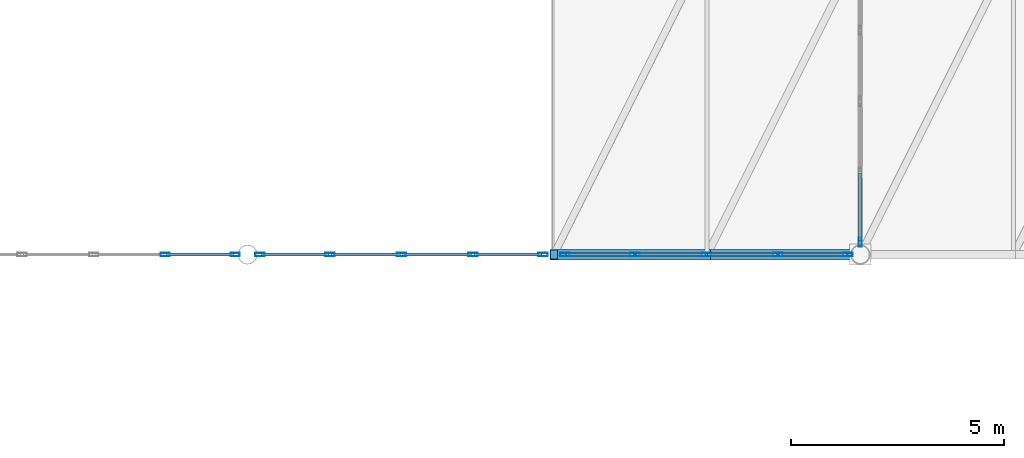
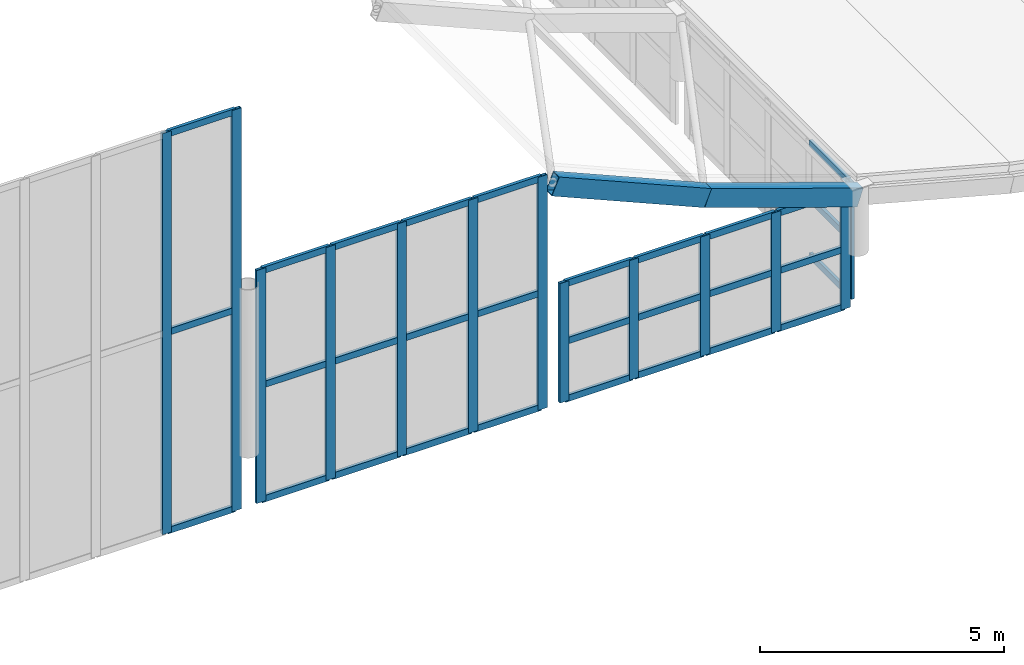
# One storey, part 63 of 153: 43 members, 2 beams, 4 elements without a shape of their own.
"""IFC4 building model written with IfcOpenShell, lengths in metres."""

from ifc_helpers import new_model, si_unit, direction, frame, origin, origin_2d, place, context, subcontext, project, spatial, hollow_rectangle, extrude, material, material_profile, profile_set, type_object, element, aggregate, save


model = new_model("IFC4")

# Units and contexts
model_context = context("Model", 3, precision=1e-05, world=origin(), true_north=direction((0.0, 1.0)))
body_context = subcontext(model_context, "Body", "Model", "MODEL_VIEW")
ifc_project = project(units=[si_unit("LENGTHUNIT", "METRE"), si_unit("AREAUNIT", "SQUARE_METRE"), si_unit("VOLUMEUNIT", "CUBIC_METRE"), si_unit("PLANEANGLEUNIT", "RADIAN"), si_unit("MASSUNIT", "GRAM", prefix="KILO")], contexts=[model_context])

# Site, building, storey
site_placement = place(None, origin())
site = spatial("IfcSite", under=ifc_project, at=site_placement, CompositionType="ELEMENT")
building_placement = place(site_placement, origin())
building = spatial("IfcBuilding", under=site, at=building_placement, Name="Qandorah Velis Arena", CompositionType="ELEMENT")
storey_placement = place(building_placement, frame((0.0, 0.0, 5.39990234375)))
storey = spatial("IfcBuildingStorey", under=building, at=storey_placement, Name="L01", CompositionType="ELEMENT", Elevation=5.39990234375)

# Curtain wall, members
ifc_material_1 = material(Name="Solar-control low-E double glazing", Category="glass")
curtain_wall_type_1 = type_object("IfcCurtainWallType", Name="ARC-CW-SYS02", PredefinedType="USERDEFINED", material=ifc_material_1)
curtain_wall_1_placement = place(storey_placement, origin())
curtain_wall_1 = element("IfcCurtainWall", 1, at=curtain_wall_1_placement, inside=storey, type_object=curtain_wall_type_1, Name="Unitised curtain wall FOY-UP-1", ObjectType="UNITISED CURTAIN WALL", PredefinedType="USERDEFINED")
ifc_material_2 = material(Name="Champagne-bronze anodized aluminium 6063-T6", Category="aluminium")
ifc_material_profile_1 = material_profile(ifc_material_2, hollow_rectangle(XDim=0.074951171875, YDim=0.219970703125, WallThickness=0.00390625, at=origin_2d()), Name="ALU MULLION 75x220")
ifc_profile_set_1 = profile_set([ifc_material_profile_1], Name="Champagne-bronze anodized aluminium 6063-T6")
member_type_1 = type_object("IfcMemberType", Name="ARC-CWM-220", PredefinedType="MULLION", material=ifc_profile_set_1)
member_1_placement = place(storey_placement, frame((127.664794921875, 14.39990234375, -1.3349609375), z_axis=(0.0, 0.0, 1.0), x_axis=(0.0, 1.0, 0.0)))
member_1 = element("IfcMember", 2, at=member_1_placement, type_object=member_type_1, Name="CW02 mullion 4", PredefinedType="MULLION", context=body_context, shape_type="SweptSolid", body=[
    extrude(hollow_rectangle(XDim=0.074951171875, YDim=0.219970703125, WallThickness=0.00390625, at=origin_2d()), origin(), (0.0, 0.0, 1.0), 10.023681640625),
])
member_2_placement = place(storey_placement, frame((129.30908203125, 14.39990234375, -1.3349609375), z_axis=(0.0, 0.0, 1.0), x_axis=(0.0, 1.0, 0.0)))
member_2 = element("IfcMember", 3, at=member_2_placement, type_object=member_type_1, Name="CW02 mullion 5", PredefinedType="MULLION", context=body_context, shape_type="SweptSolid", body=[
    extrude(hollow_rectangle(XDim=0.074951171875, YDim=0.219970703125, WallThickness=0.00390625, at=origin_2d()), origin(), (0.0, 0.0, 1.0), 10.023681640625),
])

curtain_wall_type_2 = type_object("IfcCurtainWallType", Name="ARC-CW-SYS03", PredefinedType="USERDEFINED", material=ifc_material_1)
curtain_wall_2_placement = place(storey_placement, origin())
curtain_wall_2 = element("IfcCurtainWall", 4, at=curtain_wall_2_placement, inside=storey, type_object=curtain_wall_type_2, Name="Unitised curtain wall FOY-UP-2", ObjectType="UNITISED CURTAIN WALL", PredefinedType="USERDEFINED")
member_3_placement = place(storey_placement, frame((129.89111328125, 14.39990234375, -1.3349609375), z_axis=(0.0, 0.0, 1.0), x_axis=(0.0, 1.0, 0.0)))
member_3 = element("IfcMember", 5, at=member_3_placement, type_object=member_type_1, Name="CW03 mullion 1", PredefinedType="MULLION", context=body_context, shape_type="SweptSolid", body=[
    extrude(hollow_rectangle(XDim=0.074951171875, YDim=0.219970703125, WallThickness=0.00390625, at=origin_2d()), origin(), (0.0, 0.0, 1.0), 5.8212890625),
])
member_4_placement = place(storey_placement, frame((131.53515625, 14.39990234375, -1.3349609375), z_axis=(0.0, 0.0, 1.0), x_axis=(0.0, 1.0, 0.0)))
member_4 = element("IfcMember", 6, at=member_4_placement, type_object=member_type_1, Name="CW03 mullion 2", PredefinedType="MULLION", context=body_context, shape_type="SweptSolid", body=[
    extrude(hollow_rectangle(XDim=0.074951171875, YDim=0.219970703125, WallThickness=0.00390625, at=origin_2d()), origin(), (0.0, 0.0, 1.0), 5.8212890625),
])
member_5_placement = place(storey_placement, frame((133.216796875, 14.39990234375, -1.3349609375), z_axis=(0.0, 0.0, 1.0), x_axis=(0.0, 1.0, 0.0)))
member_5 = element("IfcMember", 7, at=member_5_placement, type_object=member_type_1, Name="CW03 mullion 3", PredefinedType="MULLION", context=body_context, shape_type="SweptSolid", body=[
    extrude(hollow_rectangle(XDim=0.074951171875, YDim=0.219970703125, WallThickness=0.00390625, at=origin_2d()), origin(), (0.0, 0.0, 1.0), 5.8212890625),
])
member_6_placement = place(storey_placement, frame((134.8984375, 14.39990234375, -1.3349609375), z_axis=(0.0, 0.0, 1.0), x_axis=(0.0, 1.0, 0.0)))
member_6 = element("IfcMember", 8, at=member_6_placement, type_object=member_type_1, Name="CW03 mullion 4", PredefinedType="MULLION", context=body_context, shape_type="SweptSolid", body=[
    extrude(hollow_rectangle(XDim=0.074951171875, YDim=0.219970703125, WallThickness=0.00390625, at=origin_2d()), origin(), (0.0, 0.0, 1.0), 5.8212890625),
])
member_7_placement = place(storey_placement, frame((136.54248046875, 14.39990234375, -1.3349609375), z_axis=(0.0, 0.0, 1.0), x_axis=(0.0, 1.0, 0.0)))
member_7 = element("IfcMember", 9, at=member_7_placement, type_object=member_type_1, Name="CW03 mullion 5", PredefinedType="MULLION", context=body_context, shape_type="SweptSolid", body=[
    extrude(hollow_rectangle(XDim=0.074951171875, YDim=0.219970703125, WallThickness=0.00390625, at=origin_2d()), origin(), (0.0, 0.0, 1.0), 5.8212890625),
])

curtain_wall_type_3 = type_object("IfcCurtainWallType", Name="ARC-CW-SYS04", PredefinedType="USERDEFINED", material=ifc_material_1)
curtain_wall_3_placement = place(storey_placement, origin())
curtain_wall_3 = element("IfcCurtainWall", 10, at=curtain_wall_3_placement, inside=storey, type_object=curtain_wall_type_3, Name="Unitised curtain wall FOY-UP-3", ObjectType="UNITISED CURTAIN WALL", PredefinedType="USERDEFINED")
member_8_placement = place(storey_placement, frame((137.0576171875, 14.39990234375, -1.3349609375), z_axis=(0.0, 0.0, 1.0), x_axis=(0.0, 1.0, 0.0)))
member_8 = element("IfcMember", 11, at=member_8_placement, type_object=member_type_1, Name="CW04 mullion 1", PredefinedType="MULLION", context=body_context, shape_type="SweptSolid", body=[
    extrude(hollow_rectangle(XDim=0.074951171875, YDim=0.219970703125, WallThickness=0.00390625, at=origin_2d()), origin(), (0.0, 0.0, 1.0), 2.986572265625),
])
member_9_placement = place(storey_placement, frame((138.70166015625, 14.39990234375, -1.3349609375), z_axis=(0.0, 0.0, 1.0), x_axis=(0.0, 1.0, 0.0)))
member_9 = element("IfcMember", 12, at=member_9_placement, type_object=member_type_1, Name="CW04 mullion 2", PredefinedType="MULLION", context=body_context, shape_type="SweptSolid", body=[
    extrude(hollow_rectangle(XDim=0.074951171875, YDim=0.219970703125, WallThickness=0.00390625, at=origin_2d()), origin(), (0.0, 0.0, 1.0), 2.986572265625),
])
member_10_placement = place(storey_placement, frame((140.38330078125, 14.39990234375, -1.3349609375), z_axis=(0.0, 0.0, 1.0), x_axis=(0.0, 1.0, 0.0)))
member_10 = element("IfcMember", 13, at=member_10_placement, type_object=member_type_1, Name="CW04 mullion 3", PredefinedType="MULLION", context=body_context, shape_type="SweptSolid", body=[
    extrude(hollow_rectangle(XDim=0.074951171875, YDim=0.219970703125, WallThickness=0.00390625, at=origin_2d()), origin(), (0.0, 0.0, 1.0), 2.986572265625),
])
member_11_placement = place(storey_placement, frame((142.06494140625, 14.39990234375, -1.3349609375), z_axis=(0.0, 0.0, 1.0), x_axis=(0.0, 1.0, 0.0)))
member_11 = element("IfcMember", 14, at=member_11_placement, type_object=member_type_1, Name="CW04 mullion 4", PredefinedType="MULLION", context=body_context, shape_type="SweptSolid", body=[
    extrude(hollow_rectangle(XDim=0.074951171875, YDim=0.219970703125, WallThickness=0.00390625, at=origin_2d()), origin(), (0.0, 0.0, 1.0), 2.986572265625),
])
member_12_placement = place(storey_placement, frame((143.708984375, 14.39990234375, -1.3349609375), z_axis=(0.0, 0.0, 1.0), x_axis=(0.0, 1.0, 0.0)))
member_12 = element("IfcMember", 15, at=member_12_placement, type_object=member_type_1, Name="CW04 mullion 5", PredefinedType="MULLION", context=body_context, shape_type="SweptSolid", body=[
    extrude(hollow_rectangle(XDim=0.074951171875, YDim=0.219970703125, WallThickness=0.00390625, at=origin_2d()), origin(), (0.0, 0.0, 1.0), 2.986572265625),
])

# Curtain wall, member
curtain_wall_type_4 = type_object("IfcCurtainWallType", Name="ARC-CW-SYS06", PredefinedType="USERDEFINED", material=ifc_material_1)
curtain_wall_4_placement = place(storey_placement, origin())
curtain_wall_4 = element("IfcCurtainWall", 16, at=curtain_wall_4_placement, inside=storey, type_object=curtain_wall_type_4, Name="Unitised curtain wall FOY-UP-5", ObjectType="UNITISED CURTAIN WALL", PredefinedType="USERDEFINED")
member_13_placement = place(storey_placement, frame((144.0, 14.69091796875, -1.3349609375), z_axis=(0.0, 0.0, 1.0), x_axis=(-1.0, 0.0, 0.0)))
member_13 = element("IfcMember", 17, at=member_13_placement, type_object=member_type_1, Name="CW06 mullion 1", PredefinedType="MULLION", context=body_context, shape_type="SweptSolid", body=[
    extrude(hollow_rectangle(XDim=0.074951171875, YDim=0.219970703125, WallThickness=0.00390625, at=origin_2d()), origin(), (0.0, 0.0, 1.0), 2.918701171875),
])

# Member
ifc_material_profile_2 = material_profile(ifc_material_2, hollow_rectangle(XDim=0.074951171875, YDim=0.159912109375, WallThickness=0.00341796875, at=origin_2d()), Name="ALU TRANSOM 75x160")
ifc_profile_set_2 = profile_set([ifc_material_profile_2], Name="Champagne-bronze anodized aluminium 6063-T6")
member_type_2 = type_object("IfcMemberType", Name="ARC-CWT-160", PredefinedType="USERDEFINED", material=ifc_profile_set_2)
member_14_placement = place(storey_placement, frame((127.6904296875, 14.39990234375, -1.282470703125), z_axis=(1.0, 0.0, 0.0), x_axis=(0.0, 1.0, 0.0)))
member_14 = element("IfcMember", 18, at=member_14_placement, type_object=member_type_2, Name="CW02 transom 4.1", ObjectType="TRANSOM", PredefinedType="USERDEFINED", context=body_context, shape_type="SweptSolid", body=[
    extrude(hollow_rectangle(XDim=0.074951171875, YDim=0.159912109375, WallThickness=0.00341796875, at=origin_2d()), origin(), (0.0, 0.0, 1.0), 1.593017578125),
])

member_15_placement = place(storey_placement, frame((127.6904296875, 14.39990234375, 3.677001953125), z_axis=(1.0, 0.0, 0.0), x_axis=(0.0, 1.0, 0.0)))
member_15 = element("IfcMember", 19, at=member_15_placement, type_object=member_type_2, Name="CW02 transom 4.2", ObjectType="TRANSOM", PredefinedType="USERDEFINED", context=body_context, shape_type="SweptSolid", body=[
    extrude(hollow_rectangle(XDim=0.074951171875, YDim=0.159912109375, WallThickness=0.00341796875, at=origin_2d()), origin(), (0.0, 0.0, 1.0), 1.593017578125),
])

member_16_placement = place(storey_placement, frame((127.6904296875, 14.39990234375, 8.63623046875), z_axis=(1.0, 0.0, 0.0), x_axis=(0.0, 1.0, 0.0)))
member_16 = element("IfcMember", 20, at=member_16_placement, type_object=member_type_2, Name="CW02 transom 4.3", ObjectType="TRANSOM", PredefinedType="USERDEFINED", context=body_context, shape_type="SweptSolid", body=[
    extrude(hollow_rectangle(XDim=0.074951171875, YDim=0.159912109375, WallThickness=0.00341796875, at=origin_2d()), origin(), (0.0, 0.0, 1.0), 1.593017578125),
])

aggregate(curtain_wall_1, [member_1, member_2, member_14, member_15, member_16])

member_17_placement = place(storey_placement, frame((129.91650390625, 14.39990234375, -1.282470703125), z_axis=(1.0, 0.0, 0.0), x_axis=(0.0, 1.0, 0.0)))
member_17 = element("IfcMember", 21, at=member_17_placement, type_object=member_type_2, Name="CW03 transom 1.1", ObjectType="TRANSOM", PredefinedType="USERDEFINED", context=body_context, shape_type="SweptSolid", body=[
    extrude(hollow_rectangle(XDim=0.074951171875, YDim=0.159912109375, WallThickness=0.00341796875, at=origin_2d()), origin(), (0.0, 0.0, 1.0), 1.593017578125),
])

member_18_placement = place(storey_placement, frame((129.91650390625, 14.39990234375, 1.57568359375), z_axis=(1.0, 0.0, 0.0), x_axis=(0.0, 1.0, 0.0)))
member_18 = element("IfcMember", 22, at=member_18_placement, type_object=member_type_2, Name="CW03 transom 1.2", ObjectType="TRANSOM", PredefinedType="USERDEFINED", context=body_context, shape_type="SweptSolid", body=[
    extrude(hollow_rectangle(XDim=0.074951171875, YDim=0.159912109375, WallThickness=0.00341796875, at=origin_2d()), origin(), (0.0, 0.0, 1.0), 1.593017578125),
])

member_19_placement = place(storey_placement, frame((129.91650390625, 14.39990234375, 4.433837890625), z_axis=(1.0, 0.0, 0.0), x_axis=(0.0, 1.0, 0.0)))
member_19 = element("IfcMember", 23, at=member_19_placement, type_object=member_type_2, Name="CW03 transom 1.3", ObjectType="TRANSOM", PredefinedType="USERDEFINED", context=body_context, shape_type="SweptSolid", body=[
    extrude(hollow_rectangle(XDim=0.074951171875, YDim=0.159912109375, WallThickness=0.00341796875, at=origin_2d()), origin(), (0.0, 0.0, 1.0), 1.593017578125),
])

member_20_placement = place(storey_placement, frame((131.560546875, 14.39990234375, -1.282470703125), z_axis=(1.0, 0.0, 0.0), x_axis=(0.0, 1.0, 0.0)))
member_20 = element("IfcMember", 24, at=member_20_placement, type_object=member_type_2, Name="CW03 transom 2.1", ObjectType="TRANSOM", PredefinedType="USERDEFINED", context=body_context, shape_type="SweptSolid", body=[
    extrude(hollow_rectangle(XDim=0.074951171875, YDim=0.159912109375, WallThickness=0.00341796875, at=origin_2d()), origin(), (0.0, 0.0, 1.0), 1.630615234375),
])

member_21_placement = place(storey_placement, frame((131.560546875, 14.39990234375, 1.57568359375), z_axis=(1.0, 0.0, 0.0), x_axis=(0.0, 1.0, 0.0)))
member_21 = element("IfcMember", 25, at=member_21_placement, type_object=member_type_2, Name="CW03 transom 2.2", ObjectType="TRANSOM", PredefinedType="USERDEFINED", context=body_context, shape_type="SweptSolid", body=[
    extrude(hollow_rectangle(XDim=0.074951171875, YDim=0.159912109375, WallThickness=0.00341796875, at=origin_2d()), origin(), (0.0, 0.0, 1.0), 1.630615234375),
])

member_22_placement = place(storey_placement, frame((131.560546875, 14.39990234375, 4.433837890625), z_axis=(1.0, 0.0, 0.0), x_axis=(0.0, 1.0, 0.0)))
member_22 = element("IfcMember", 26, at=member_22_placement, type_object=member_type_2, Name="CW03 transom 2.3", ObjectType="TRANSOM", PredefinedType="USERDEFINED", context=body_context, shape_type="SweptSolid", body=[
    extrude(hollow_rectangle(XDim=0.074951171875, YDim=0.159912109375, WallThickness=0.00341796875, at=origin_2d()), origin(), (0.0, 0.0, 1.0), 1.630615234375),
])

member_23_placement = place(storey_placement, frame((133.2421875, 14.39990234375, -1.282470703125), z_axis=(1.0, 0.0, 0.0), x_axis=(0.0, 1.0, 0.0)))
member_23 = element("IfcMember", 27, at=member_23_placement, type_object=member_type_2, Name="CW03 transom 3.1", ObjectType="TRANSOM", PredefinedType="USERDEFINED", context=body_context, shape_type="SweptSolid", body=[
    extrude(hollow_rectangle(XDim=0.074951171875, YDim=0.159912109375, WallThickness=0.00341796875, at=origin_2d()), origin(), (0.0, 0.0, 1.0), 1.630615234375),
])

member_24_placement = place(storey_placement, frame((133.2421875, 14.39990234375, 1.57568359375), z_axis=(1.0, 0.0, 0.0), x_axis=(0.0, 1.0, 0.0)))
member_24 = element("IfcMember", 28, at=member_24_placement, type_object=member_type_2, Name="CW03 transom 3.2", ObjectType="TRANSOM", PredefinedType="USERDEFINED", context=body_context, shape_type="SweptSolid", body=[
    extrude(hollow_rectangle(XDim=0.074951171875, YDim=0.159912109375, WallThickness=0.00341796875, at=origin_2d()), origin(), (0.0, 0.0, 1.0), 1.630615234375),
])

member_25_placement = place(storey_placement, frame((133.2421875, 14.39990234375, 4.433837890625), z_axis=(1.0, 0.0, 0.0), x_axis=(0.0, 1.0, 0.0)))
member_25 = element("IfcMember", 29, at=member_25_placement, type_object=member_type_2, Name="CW03 transom 3.3", ObjectType="TRANSOM", PredefinedType="USERDEFINED", context=body_context, shape_type="SweptSolid", body=[
    extrude(hollow_rectangle(XDim=0.074951171875, YDim=0.159912109375, WallThickness=0.00341796875, at=origin_2d()), origin(), (0.0, 0.0, 1.0), 1.630615234375),
])

member_26_placement = place(storey_placement, frame((134.923828125, 14.39990234375, -1.282470703125), z_axis=(1.0, 0.0, 0.0), x_axis=(0.0, 1.0, 0.0)))
member_26 = element("IfcMember", 30, at=member_26_placement, type_object=member_type_2, Name="CW03 transom 4.1", ObjectType="TRANSOM", PredefinedType="USERDEFINED", context=body_context, shape_type="SweptSolid", body=[
    extrude(hollow_rectangle(XDim=0.074951171875, YDim=0.159912109375, WallThickness=0.00341796875, at=origin_2d()), origin(), (0.0, 0.0, 1.0), 1.59326171875),
])

member_27_placement = place(storey_placement, frame((134.923828125, 14.39990234375, 1.57568359375), z_axis=(1.0, 0.0, 0.0), x_axis=(0.0, 1.0, 0.0)))
member_27 = element("IfcMember", 31, at=member_27_placement, type_object=member_type_2, Name="CW03 transom 4.2", ObjectType="TRANSOM", PredefinedType="USERDEFINED", context=body_context, shape_type="SweptSolid", body=[
    extrude(hollow_rectangle(XDim=0.074951171875, YDim=0.159912109375, WallThickness=0.00341796875, at=origin_2d()), origin(), (0.0, 0.0, 1.0), 1.59326171875),
])

member_28_placement = place(storey_placement, frame((134.923828125, 14.39990234375, 4.433837890625), z_axis=(1.0, 0.0, 0.0), x_axis=(0.0, 1.0, 0.0)))
member_28 = element("IfcMember", 32, at=member_28_placement, type_object=member_type_2, Name="CW03 transom 4.3", ObjectType="TRANSOM", PredefinedType="USERDEFINED", context=body_context, shape_type="SweptSolid", body=[
    extrude(hollow_rectangle(XDim=0.074951171875, YDim=0.159912109375, WallThickness=0.00341796875, at=origin_2d()), origin(), (0.0, 0.0, 1.0), 1.59326171875),
])

aggregate(curtain_wall_2, [member_3, member_4, member_5, member_6, member_7, member_17, member_18, member_19, member_20, member_21, member_22, member_23, member_24, member_25, member_26, member_27, member_28])

member_29_placement = place(storey_placement, frame((137.0830078125, 14.39990234375, -1.282470703125), z_axis=(1.0, 0.0, 0.0), x_axis=(0.0, 1.0, 0.0)))
member_29 = element("IfcMember", 33, at=member_29_placement, type_object=member_type_2, Name="CW04 transom 1.1", ObjectType="TRANSOM", PredefinedType="USERDEFINED", context=body_context, shape_type="SweptSolid", body=[
    extrude(hollow_rectangle(XDim=0.074951171875, YDim=0.159912109375, WallThickness=0.00341796875, at=origin_2d()), origin(), (0.0, 0.0, 1.0), 1.593017578125),
])

member_30_placement = place(storey_placement, frame((137.0830078125, 14.39990234375, 0.158447265625), z_axis=(1.0, 0.0, 0.0), x_axis=(0.0, 1.0, 0.0)))
member_30 = element("IfcMember", 34, at=member_30_placement, type_object=member_type_2, Name="CW04 transom 1.2", ObjectType="TRANSOM", PredefinedType="USERDEFINED", context=body_context, shape_type="SweptSolid", body=[
    extrude(hollow_rectangle(XDim=0.074951171875, YDim=0.159912109375, WallThickness=0.00341796875, at=origin_2d()), origin(), (0.0, 0.0, 1.0), 1.593017578125),
])

member_31_placement = place(storey_placement, frame((137.0830078125, 14.39990234375, 1.59912109375), z_axis=(1.0, 0.0, 0.0), x_axis=(0.0, 1.0, 0.0)))
member_31 = element("IfcMember", 35, at=member_31_placement, type_object=member_type_2, Name="CW04 transom 1.3", ObjectType="TRANSOM", PredefinedType="USERDEFINED", context=body_context, shape_type="SweptSolid", body=[
    extrude(hollow_rectangle(XDim=0.074951171875, YDim=0.159912109375, WallThickness=0.00341796875, at=origin_2d()), origin(), (0.0, 0.0, 1.0), 1.593017578125),
])

member_32_placement = place(storey_placement, frame((138.72705078125, 14.39990234375, -1.282470703125), z_axis=(1.0, 0.0, 0.0), x_axis=(0.0, 1.0, 0.0)))
member_32 = element("IfcMember", 36, at=member_32_placement, type_object=member_type_2, Name="CW04 transom 2.1", ObjectType="TRANSOM", PredefinedType="USERDEFINED", context=body_context, shape_type="SweptSolid", body=[
    extrude(hollow_rectangle(XDim=0.074951171875, YDim=0.159912109375, WallThickness=0.00341796875, at=origin_2d()), origin(), (0.0, 0.0, 1.0), 1.630859375),
])

member_33_placement = place(storey_placement, frame((138.72705078125, 14.39990234375, 0.158447265625), z_axis=(1.0, 0.0, 0.0), x_axis=(0.0, 1.0, 0.0)))
member_33 = element("IfcMember", 37, at=member_33_placement, type_object=member_type_2, Name="CW04 transom 2.2", ObjectType="TRANSOM", PredefinedType="USERDEFINED", context=body_context, shape_type="SweptSolid", body=[
    extrude(hollow_rectangle(XDim=0.074951171875, YDim=0.159912109375, WallThickness=0.00341796875, at=origin_2d()), origin(), (0.0, 0.0, 1.0), 1.630859375),
])

member_34_placement = place(storey_placement, frame((138.72705078125, 14.39990234375, 1.59912109375), z_axis=(1.0, 0.0, 0.0), x_axis=(0.0, 1.0, 0.0)))
member_34 = element("IfcMember", 38, at=member_34_placement, type_object=member_type_2, Name="CW04 transom 2.3", ObjectType="TRANSOM", PredefinedType="USERDEFINED", context=body_context, shape_type="SweptSolid", body=[
    extrude(hollow_rectangle(XDim=0.074951171875, YDim=0.159912109375, WallThickness=0.00341796875, at=origin_2d()), origin(), (0.0, 0.0, 1.0), 1.630859375),
])

member_35_placement = place(storey_placement, frame((140.40869140625, 14.39990234375, -1.282470703125), z_axis=(1.0, 0.0, 0.0), x_axis=(0.0, 1.0, 0.0)))
member_35 = element("IfcMember", 39, at=member_35_placement, type_object=member_type_2, Name="CW04 transom 3.1", ObjectType="TRANSOM", PredefinedType="USERDEFINED", context=body_context, shape_type="SweptSolid", body=[
    extrude(hollow_rectangle(XDim=0.074951171875, YDim=0.159912109375, WallThickness=0.00341796875, at=origin_2d()), origin(), (0.0, 0.0, 1.0), 1.630615234375),
])

member_36_placement = place(storey_placement, frame((140.40869140625, 14.39990234375, 0.158447265625), z_axis=(1.0, 0.0, 0.0), x_axis=(0.0, 1.0, 0.0)))
member_36 = element("IfcMember", 40, at=member_36_placement, type_object=member_type_2, Name="CW04 transom 3.2", ObjectType="TRANSOM", PredefinedType="USERDEFINED", context=body_context, shape_type="SweptSolid", body=[
    extrude(hollow_rectangle(XDim=0.074951171875, YDim=0.159912109375, WallThickness=0.00341796875, at=origin_2d()), origin(), (0.0, 0.0, 1.0), 1.630615234375),
])

member_37_placement = place(storey_placement, frame((140.40869140625, 14.39990234375, 1.59912109375), z_axis=(1.0, 0.0, 0.0), x_axis=(0.0, 1.0, 0.0)))
member_37 = element("IfcMember", 41, at=member_37_placement, type_object=member_type_2, Name="CW04 transom 3.3", ObjectType="TRANSOM", PredefinedType="USERDEFINED", context=body_context, shape_type="SweptSolid", body=[
    extrude(hollow_rectangle(XDim=0.074951171875, YDim=0.159912109375, WallThickness=0.00341796875, at=origin_2d()), origin(), (0.0, 0.0, 1.0), 1.630615234375),
])

member_38_placement = place(storey_placement, frame((142.09033203125, 14.39990234375, -1.282470703125), z_axis=(1.0, 0.0, 0.0), x_axis=(0.0, 1.0, 0.0)))
member_38 = element("IfcMember", 42, at=member_38_placement, type_object=member_type_2, Name="CW04 transom 4.1", ObjectType="TRANSOM", PredefinedType="USERDEFINED", context=body_context, shape_type="SweptSolid", body=[
    extrude(hollow_rectangle(XDim=0.074951171875, YDim=0.159912109375, WallThickness=0.00341796875, at=origin_2d()), origin(), (0.0, 0.0, 1.0), 1.59326171875),
])

member_39_placement = place(storey_placement, frame((142.09033203125, 14.39990234375, 0.158447265625), z_axis=(1.0, 0.0, 0.0), x_axis=(0.0, 1.0, 0.0)))
member_39 = element("IfcMember", 43, at=member_39_placement, type_object=member_type_2, Name="CW04 transom 4.2", ObjectType="TRANSOM", PredefinedType="USERDEFINED", context=body_context, shape_type="SweptSolid", body=[
    extrude(hollow_rectangle(XDim=0.074951171875, YDim=0.159912109375, WallThickness=0.00341796875, at=origin_2d()), origin(), (0.0, 0.0, 1.0), 1.59326171875),
])

member_40_placement = place(storey_placement, frame((142.09033203125, 14.39990234375, 1.59912109375), z_axis=(1.0, 0.0, 0.0), x_axis=(0.0, 1.0, 0.0)))
member_40 = element("IfcMember", 44, at=member_40_placement, type_object=member_type_2, Name="CW04 transom 4.3", ObjectType="TRANSOM", PredefinedType="USERDEFINED", context=body_context, shape_type="SweptSolid", body=[
    extrude(hollow_rectangle(XDim=0.074951171875, YDim=0.159912109375, WallThickness=0.00341796875, at=origin_2d()), origin(), (0.0, 0.0, 1.0), 1.59326171875),
])

aggregate(curtain_wall_3, [member_8, member_9, member_10, member_11, member_12, member_29, member_30, member_31, member_32, member_33, member_34, member_35, member_36, member_37, member_38, member_39, member_40])

member_41_placement = place(storey_placement, frame((144.0, 14.716552734375, -1.282470703125), z_axis=(0.0, 1.0, 0.0), x_axis=(-1.0, 0.0, 0.0)))
member_41 = element("IfcMember", 45, at=member_41_placement, type_object=member_type_2, Name="CW06 transom 1.1", ObjectType="TRANSOM", PredefinedType="USERDEFINED", context=body_context, shape_type="SweptSolid", body=[
    extrude(hollow_rectangle(XDim=0.074951171875, YDim=0.159912109375, WallThickness=0.00341796875, at=origin_2d()), origin(), (0.0, 0.0, 1.0), 1.584716796875),
])

member_42_placement = place(storey_placement, frame((144.0, 14.716552734375, 0.12451171875), z_axis=(0.0, 1.0, 0.0), x_axis=(-1.0, 0.0, 0.0)))
member_42 = element("IfcMember", 46, at=member_42_placement, type_object=member_type_2, Name="CW06 transom 1.2", ObjectType="TRANSOM", PredefinedType="USERDEFINED", context=body_context, shape_type="SweptSolid", body=[
    extrude(hollow_rectangle(XDim=0.074951171875, YDim=0.159912109375, WallThickness=0.00341796875, at=origin_2d()), origin(), (0.0, 0.0, 1.0), 1.584716796875),
])

member_43_placement = place(storey_placement, frame((144.0, 14.716552734375, 1.53125), z_axis=(0.0, 1.0, 0.0), x_axis=(-1.0, 0.0, 0.0)))
member_43 = element("IfcMember", 47, at=member_43_placement, type_object=member_type_2, Name="CW06 transom 1.3", ObjectType="TRANSOM", PredefinedType="USERDEFINED", context=body_context, shape_type="SweptSolid", body=[
    extrude(hollow_rectangle(XDim=0.074951171875, YDim=0.159912109375, WallThickness=0.00341796875, at=origin_2d()), origin(), (0.0, 0.0, 1.0), 1.584716796875),
])

aggregate(curtain_wall_4, [member_13, member_41, member_42, member_43])

# Beams
ifc_material_3 = material(Name="Steel S355", Category="steel")
ifc_material_profile_3 = material_profile(ifc_material_3, hollow_rectangle(XDim=0.25, YDim=0.449951171875, WallThickness=0.01611328125, at=origin_2d()), Name="RHS 450x250x16")
ifc_profile_set_3 = profile_set([ifc_material_profile_3], Name="Steel S355")
beam_type = type_object("IfcBeamType", Name="STR-CRB-RHS450", PredefinedType="USERDEFINED", material=ifc_profile_set_3)
beam_1_placement = place(storey_placement, frame((136.800048828125, 14.39990234375, 4.18603515625), z_axis=(0.918383019151, 0.0, -0.395692595501), x_axis=(0.0, 1.0, 0.0)))
element("IfcBeam", 48, at=beam_1_placement, inside=storey, type_object=beam_type, Name="Sweeping canopy rib CRB-1.07", ObjectType="ROOF TRUSS", PredefinedType="USERDEFINED", context=body_context, shape_type="SweptSolid", body=[
    extrude(hollow_rectangle(XDim=0.25, YDim=0.449951171875, WallThickness=0.01611328125, at=origin_2d()), origin(), (0.0, 0.0, 1.0), 3.919677734375),
])
beam_2_placement = place(storey_placement, frame((140.39990234375, 14.39990234375, 2.635009765625), z_axis=(0.944993692242, 0.0, -0.327088553181), x_axis=(0.0, 1.0, 0.0)))
element("IfcBeam", 49, at=beam_2_placement, inside=storey, type_object=beam_type, Name="Sweeping canopy rib CRB-1.08", ObjectType="ROOF TRUSS", PredefinedType="USERDEFINED", context=body_context, shape_type="SweptSolid", body=[
    extrude(hollow_rectangle(XDim=0.25, YDim=0.449951171875, WallThickness=0.01611328125, at=origin_2d()), origin(), (0.0, 0.0, 1.0), 3.8095703125),
])

save(model, "model.ifc")
